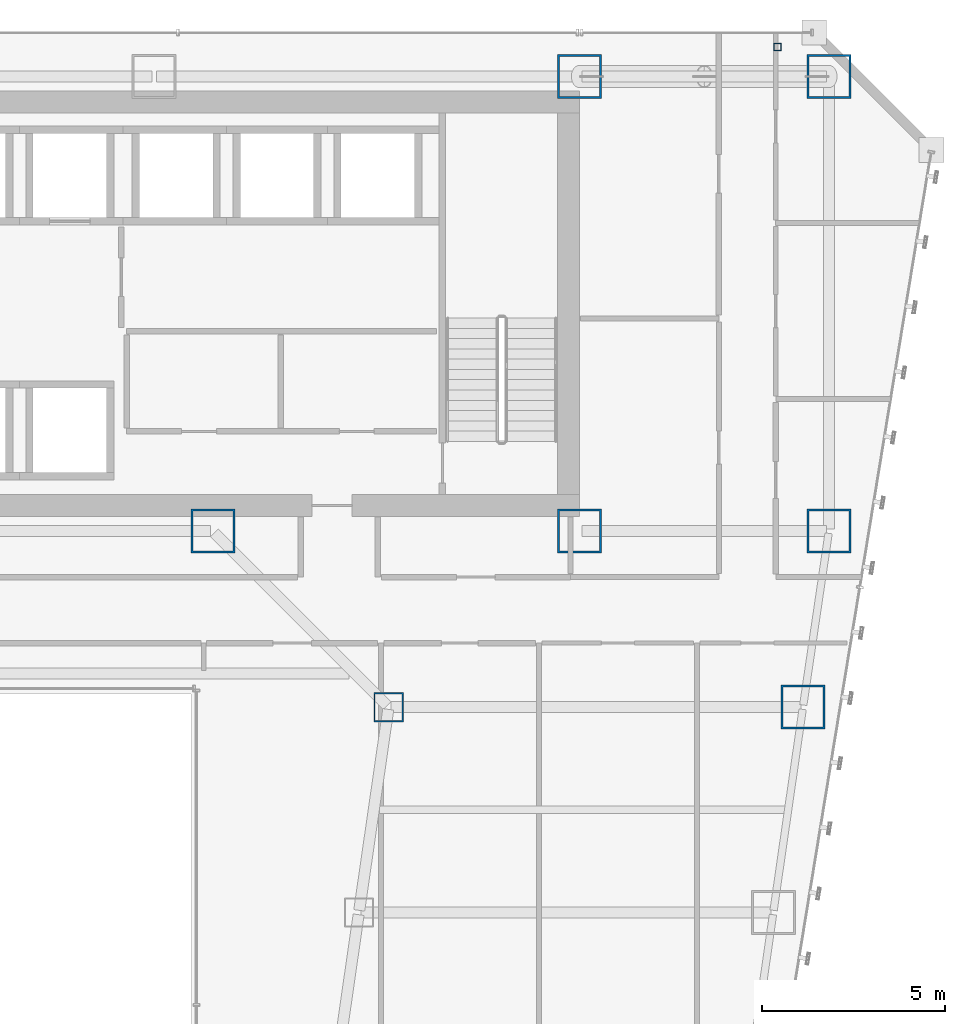
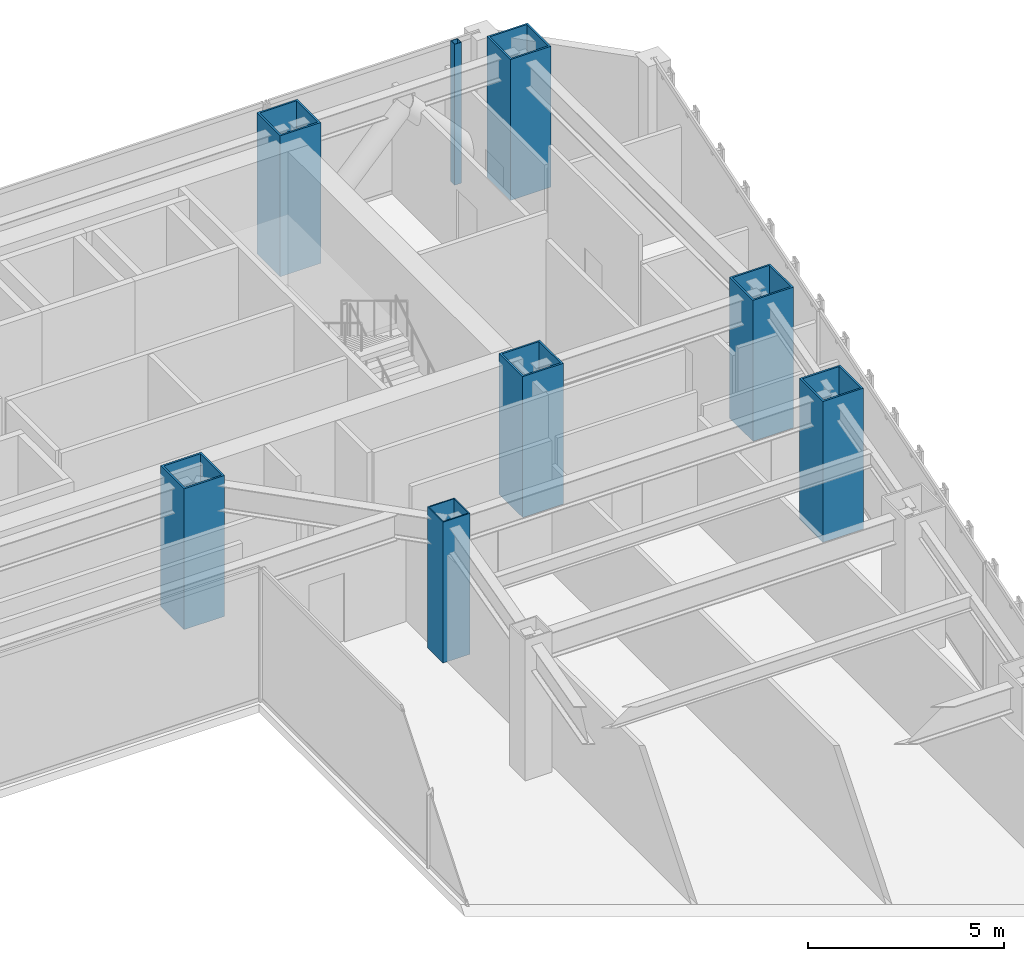
# One storey, part 3 of 47: 8 columns.
"""IFC4 building model written with IfcOpenShell, lengths in metres."""

from ifc_helpers import new_model, si_unit, direction, frame, origin, origin_2d, place, context, subcontext, project, spatial, hollow_rectangle, extrude, material, material_profile, profile_set, type_object, element, save


model = new_model("IFC4")

# Units and contexts
model_context = context("Model", 3, precision=1e-05, world=origin(), true_north=direction((0.0, 1.0)))
body_context = subcontext(model_context, "Body", "Model", "MODEL_VIEW")
ifc_project = project(units=[si_unit("LENGTHUNIT", "METRE"), si_unit("AREAUNIT", "SQUARE_METRE"), si_unit("VOLUMEUNIT", "CUBIC_METRE"), si_unit("PLANEANGLEUNIT", "RADIAN"), si_unit("MASSUNIT", "GRAM", prefix="KILO")], contexts=[model_context])

# Site, building, storey
site_placement = place(None, origin())
site = spatial("IfcSite", under=ifc_project, at=site_placement, CompositionType="ELEMENT")
building_placement = place(site_placement, origin())
building = spatial("IfcBuilding", under=site, at=building_placement, Name="Saevonmaru Cultural Tower", CompositionType="ELEMENT")
storey_placement = place(building_placement, frame((0.0, 0.0, 56.0)))
storey = spatial("IfcBuildingStorey", under=building, at=storey_placement, Name="L11", CompositionType="ELEMENT", Elevation=56.0)

# Columns
ifc_material_1 = material(Name="Steel HSA600 (600 MPa)", Category="steel")
ifc_material_profile_1 = material_profile(ifc_material_1, hollow_rectangle(XDim=1.199951171875, YDim=1.199951171875, WallThickness=0.054931640625, at=origin_2d()), Name="BOX-1200x1200x55")
ifc_profile_set_1 = profile_set([ifc_material_profile_1], Name="Steel HSA600 (600 MPa)")
column_type_1 = type_object("IfcColumnType", Name="COL-BOX-1200", PredefinedType="COLUMN", material=ifc_profile_set_1)
for number, where, z_axis, x_axis, name in (
    (1, (46.39990234375, 54.800048828125, 0.0), (0.0, 0.0, 1.0), (1.0, 0.0, 0.0), "L11 Column TC-N5N"),
    (2, (53.199951171875, 54.800048828125, 0.0), (0.0, 0.0, 1.0), (1.0, 0.0, 0.0), "L11 Column TC-N6N"),
    (3, (36.39990234375, 42.39990234375, 0.0), (0.0, 0.0, 1.0), (1.0, 0.0, 0.0), "L11 Column TC-S4C"),
    (4, (46.39990234375, 42.39990234375, 0.0), (0.0, 0.0, 1.0), (1.0, 0.0, 0.0), "L11 Column TC-S5C"),
    (5, (53.199951171875, 42.39990234375, 0.0), (0.0, 0.0, 1.0), (1.0, 0.0, 0.0), "L11 Column TC-S6C"),
    (6, (52.491943359375, 37.60009765625, 0.0), (0.0, 0.0, 1.0), (1.0, 0.0, 0.0), "L11 Column TC-EO-Y376"),
):
    element("IfcColumn", number, at=place(storey_placement, frame(where, z_axis=z_axis, x_axis=x_axis)), inside=storey, type_object=column_type_1, Name=name, PredefinedType="COLUMN", context=body_context, shape_type="SweptSolid", body=[
        extrude(hollow_rectangle(XDim=1.199951171875, YDim=1.199951171875, WallThickness=0.054931640625, at=origin_2d()), origin(), (0.0, 0.0, 1.0), 4.39990234375),
    ])
ifc_material_2 = material(Name="Steel SM420", Category="steel")
ifc_material_profile_2 = material_profile(ifc_material_2, hollow_rectangle(XDim=0.800048828125, YDim=0.800048828125, WallThickness=0.035888671875, at=origin_2d()), Name="BOX-800x800x36")
ifc_profile_set_2 = profile_set([ifc_material_profile_2], Name="Steel SM420")
column_type_2 = type_object("IfcColumnType", Name="COL-BOX-800", PredefinedType="COLUMN", material=ifc_profile_set_2)
column_1_placement = place(storey_placement, frame((41.19189453125, 37.60009765625, 0.0), z_axis=(0.0, 0.0, 1.0), x_axis=(1.0, 0.0, 0.0)))
element("IfcColumn", 7, at=column_1_placement, inside=storey, type_object=column_type_2, Name="L11 Column TC-EI-Y376", PredefinedType="COLUMN", context=body_context, shape_type="SweptSolid", body=[
    extrude(hollow_rectangle(XDim=0.800048828125, YDim=0.800048828125, WallThickness=0.035888671875, at=origin_2d()), origin(), (0.0, 0.0, 1.0), 4.39990234375),
])
ifc_material_3 = material(Name="Steel SM355", Category="steel")
ifc_material_profile_3 = material_profile(ifc_material_3, hollow_rectangle(XDim=0.199951171875, YDim=0.199951171875, WallThickness=0.010009765625, at=origin_2d()), Name="SHS-200x200x10")
ifc_profile_set_3 = profile_set([ifc_material_profile_3], Name="Steel SM355")
column_type_3 = type_object("IfcColumnType", Name="PIL-SHS-200", PredefinedType="PILASTER", material=ifc_profile_set_3)
column_2_placement = place(storey_placement, frame((51.800048828125, 55.60009765625, 0.0), z_axis=(0.0, 0.0, 1.0), x_axis=(1.0, 0.0, 0.0)))
element("IfcColumn", 8, at=column_2_placement, inside=storey, type_object=column_type_3, Name="L11 Art Deco Bronze-Clad Pilaster PIL-NE", PredefinedType="PILASTER", context=body_context, shape_type="SweptSolid", body=[
    extrude(hollow_rectangle(XDim=0.199951171875, YDim=0.199951171875, WallThickness=0.010009765625, at=origin_2d()), origin(), (0.0, 0.0, 1.0), 4.39990234375),
])

save(model, "model.ifc")
